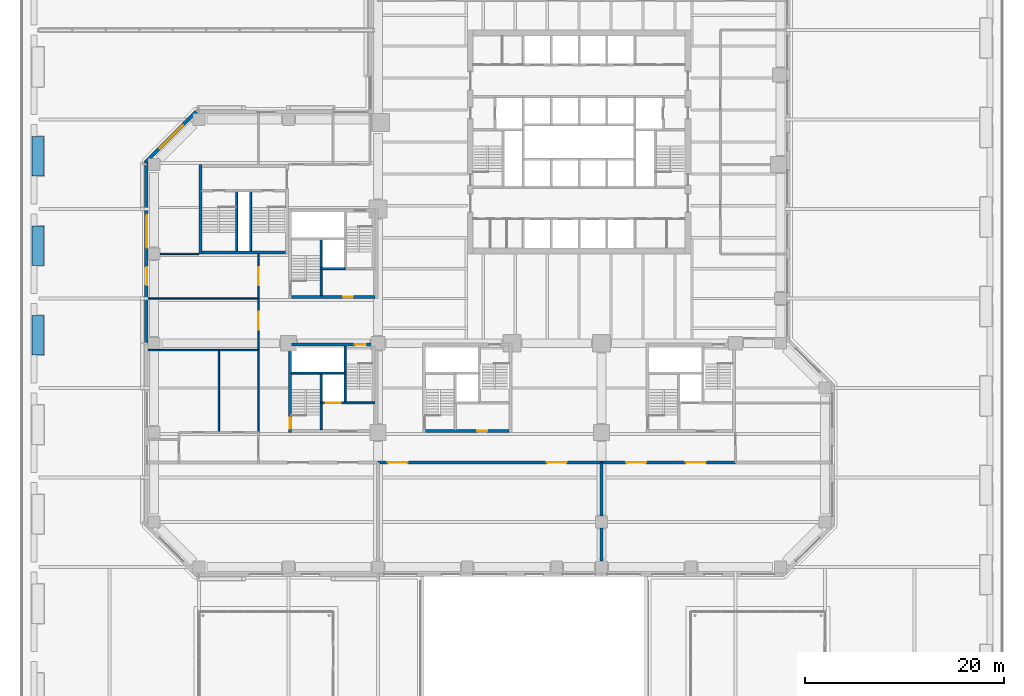
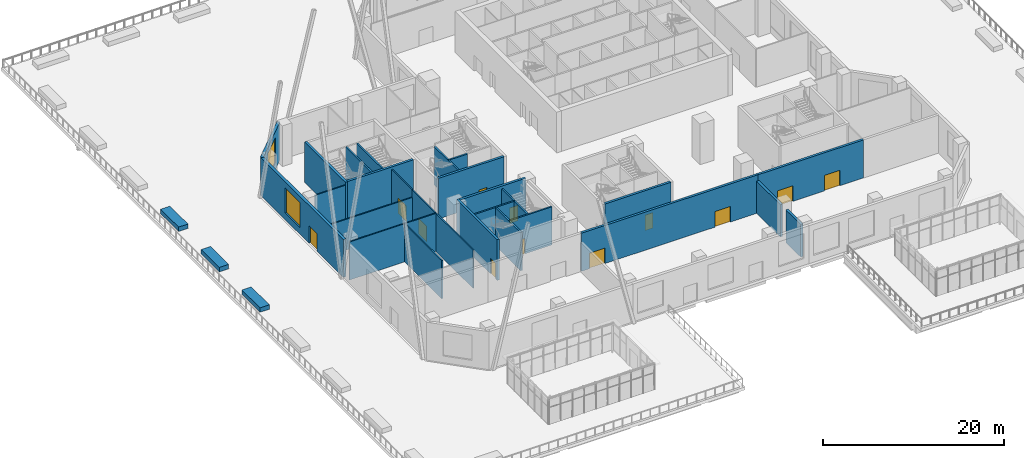
# One storey, part 21 of 33: 31 walls, 12 doors, 2 windows, 14 openings.
"""IFC4 building model written with IfcOpenShell, lengths in metres."""

from ifc_helpers import new_model, si_unit, direction, frame, frame_2d, origin, place, context, subcontext, project, spatial, rectangle, extrude, material, layer, layer_set, constituent, constituent_set, type_object, element, fill, save


model = new_model("IFC4")

# Units and contexts
model_context = context("Model", 3, precision=1e-05, world=origin(), true_north=direction((0.0, 1.0)))
body_context = subcontext(model_context, "Body", "Model", "MODEL_VIEW")
ifc_project = project(units=[si_unit("LENGTHUNIT", "METRE"), si_unit("AREAUNIT", "SQUARE_METRE"), si_unit("VOLUMEUNIT", "CUBIC_METRE"), si_unit("PLANEANGLEUNIT", "RADIAN"), si_unit("MASSUNIT", "GRAM", prefix="KILO")], contexts=[model_context])

# Site, building, storey
site_placement = place(None, origin())
site = spatial("IfcSite", under=ifc_project, at=site_placement, CompositionType="ELEMENT")
building_placement = place(site_placement, origin())
building = spatial("IfcBuilding", under=site, at=building_placement, Name="Quoin Convention Tower", CompositionType="ELEMENT")
storey_placement = place(building_placement, frame((0.0, 0.0, 8.0)))
storey = spatial("IfcBuildingStorey", under=building, at=storey_placement, Name="L01", CompositionType="ELEMENT", Elevation=8.0)

# Wall, openings, doors
ifc_material_1 = material(Name="Plasterboard")
ifc_layer_1 = layer(ifc_material_1, 0.012451171875, Name="Finish")
ifc_material_2 = material(Name="Steel stud framing", Category="steel")
ifc_layer_2 = layer(ifc_material_2, 0.27490234375, Name="Structure")
ifc_layer_3 = layer(ifc_material_1, 0.012451171875, Name="Finish")
ifc_layer_set_1 = layer_set([ifc_layer_1, ifc_layer_2, ifc_layer_3], Name="Steel stud framing")
wall_type_1 = type_object("IfcWallType", Name="Acoustic wall 300", PredefinedType="PARTITIONING", material=ifc_layer_set_1)
wall_1_placement = place(storey_placement, frame((36.0, 28.5, 0.0), z_axis=(0.0, 0.0, 1.0), x_axis=(1.0, 0.0, 0.0)))
wall_1 = element("IfcWall", 1, at=wall_1_placement, inside=storey, type_object=wall_type_1, Name="pw-L01-009", PredefinedType="PARTITIONING", context=body_context, shape_type="SweptSolid", body=[
    extrude(rectangle(XDim=22.5, YDim=0.300048828125, at=frame_2d((11.25, 0.0))), origin(), (0.0, 0.0, 1.0), 5.14990234375),
])
opening_1_placement = place(wall_1_placement, frame((1.0, 0.0, 0.0)))
opening_1 = element("IfcOpeningElement", 2, at=opening_1_placement, cuts=wall_1, Name="Opening DPD1-05", PredefinedType="OPENING", context=body_context, shape_type="SweptSolid", body=[
    extrude(rectangle(XDim=2.0, YDim=2.10009765625, at=frame_2d((1.0, 1.050048828125))), frame((0.0, 0.159912109375, 0.0), z_axis=(0.0, -1.0, 0.0), x_axis=(1.0, 0.0, 0.0)), (0.0, 0.0, 1.0), 0.320068359375),
])
opening_2_placement = place(wall_1_placement, frame((17.0, 0.0, 0.0)))
opening_2 = element("IfcOpeningElement", 3, at=opening_2_placement, cuts=wall_1, Name="Opening DPD1-06", PredefinedType="OPENING", context=body_context, shape_type="SweptSolid", body=[
    extrude(rectangle(XDim=2.0, YDim=2.10009765625, at=frame_2d((1.0, 1.050048828125))), frame((0.0, 0.159912109375, 0.0), z_axis=(0.0, -1.0, 0.0), x_axis=(1.0, 0.0, 0.0)), (0.0, 0.0, 1.0), 0.320068359375),
])
ifc_material_3 = material(Name="Steel door leaf", Category="steel")
door_type_1 = type_object("IfcDoorType", Name="Double leaf door 2000", OperationType="DOUBLE_DOOR_SINGLE_SWING", PredefinedType="DOOR", material=ifc_material_3)
door_1_placement = place(opening_1_placement, origin())
door_1 = element("IfcDoor", 4, at=door_1_placement, inside=storey, type_object=door_type_1, Name="dr-L01-003", OperationType="DOUBLE_DOOR_SINGLE_SWING", OverallHeight=2.10009765625, OverallWidth=2.0, PredefinedType="DOOR", context=body_context, shape_type="SweptSolid", body=[
    extrude(rectangle(XDim=2.0, YDim=2.10009765625, at=frame_2d((1.0, 1.050048828125))), frame((0.0, 0.02490234375, 0.0), z_axis=(0.0, -1.0, 0.0), x_axis=(1.0, 0.0, 0.0)), (0.0, 0.0, 1.0), 0.050048828125),
])
fill(opening_1, door_1)
door_2_placement = place(opening_2_placement, origin())
door_2 = element("IfcDoor", 5, at=door_2_placement, inside=storey, type_object=door_type_1, Name="dr-L01-004", OperationType="DOUBLE_DOOR_SINGLE_SWING", OverallHeight=2.10009765625, OverallWidth=2.0, PredefinedType="DOOR", context=body_context, shape_type="SweptSolid", body=[
    extrude(rectangle(XDim=2.0, YDim=2.10009765625, at=frame_2d((1.0, 1.050048828125))), frame((0.0, 0.02490234375, 0.0), z_axis=(0.0, -1.0, 0.0), x_axis=(1.0, 0.0, 0.0)), (0.0, 0.0, 1.0), 0.050048828125),
])
fill(opening_2, door_2)

wall_2_placement = place(storey_placement, frame((58.5, 28.5, 0.0), z_axis=(0.0, 0.0, 1.0), x_axis=(1.0, 0.0, 0.0)))
wall_2 = element("IfcWall", 6, at=wall_2_placement, inside=storey, type_object=wall_type_1, Name="pw-L01-010", PredefinedType="PARTITIONING", context=body_context, shape_type="SweptSolid", body=[
    extrude(rectangle(XDim=13.5, YDim=0.300048828125, at=frame_2d((6.75, 0.0))), origin(), (0.0, 0.0, 1.0), 5.14990234375),
])
opening_3_placement = place(wall_2_placement, frame((2.5, 0.0, 0.0)))
opening_3 = element("IfcOpeningElement", 7, at=opening_3_placement, cuts=wall_2, Name="Opening DPD1-07", PredefinedType="OPENING", context=body_context, shape_type="SweptSolid", body=[
    extrude(rectangle(XDim=2.0, YDim=2.10009765625, at=frame_2d((1.0, 1.050048828125))), frame((0.0, 0.159912109375, 0.0), z_axis=(0.0, -1.0, 0.0), x_axis=(1.0, 0.0, 0.0)), (0.0, 0.0, 1.0), 0.320068359375),
])
opening_4_placement = place(wall_2_placement, frame((8.5, 0.0, 0.0)))
opening_4 = element("IfcOpeningElement", 8, at=opening_4_placement, cuts=wall_2, Name="Opening DPD1-08", PredefinedType="OPENING", context=body_context, shape_type="SweptSolid", body=[
    extrude(rectangle(XDim=2.0, YDim=2.10009765625, at=frame_2d((1.0, 1.050048828125))), frame((0.0, 0.159912109375, 0.0), z_axis=(0.0, -1.0, 0.0), x_axis=(1.0, 0.0, 0.0)), (0.0, 0.0, 1.0), 0.320068359375),
])
door_3_placement = place(opening_3_placement, origin())
door_3 = element("IfcDoor", 9, at=door_3_placement, inside=storey, type_object=door_type_1, Name="dr-L01-005", OperationType="DOUBLE_DOOR_SINGLE_SWING", OverallHeight=2.10009765625, OverallWidth=2.0, PredefinedType="DOOR", context=body_context, shape_type="SweptSolid", body=[
    extrude(rectangle(XDim=2.0, YDim=2.10009765625, at=frame_2d((1.0, 1.050048828125))), frame((0.0, 0.02490234375, 0.0), z_axis=(0.0, -1.0, 0.0), x_axis=(1.0, 0.0, 0.0)), (0.0, 0.0, 1.0), 0.050048828125),
])
fill(opening_3, door_3)
door_4_placement = place(opening_4_placement, origin())
door_4 = element("IfcDoor", 10, at=door_4_placement, inside=storey, type_object=door_type_1, Name="dr-L01-006", OperationType="DOUBLE_DOOR_SINGLE_SWING", OverallHeight=2.10009765625, OverallWidth=2.0, PredefinedType="DOOR", context=body_context, shape_type="SweptSolid", body=[
    extrude(rectangle(XDim=2.0, YDim=2.10009765625, at=frame_2d((1.0, 1.050048828125))), frame((0.0, 0.02490234375, 0.0), z_axis=(0.0, -1.0, 0.0), x_axis=(1.0, 0.0, 0.0)), (0.0, 0.0, 1.0), 0.050048828125),
])
fill(opening_4, door_4)

# Walls
ifc_layer_4 = layer(ifc_material_1, 0.012451171875, Name="Finish")
ifc_layer_5 = layer(ifc_material_2, 0.27490234375, Name="Structure")
ifc_layer_6 = layer(ifc_material_1, 0.012451171875, Name="Finish")
ifc_layer_set_2 = layer_set([ifc_layer_4, ifc_layer_5, ifc_layer_6], Name="Steel stud framing")
wall_type_2 = type_object("IfcWallType", Name="Acoustic wall 300 under beam 750", PredefinedType="PARTITIONING", material=ifc_layer_set_2)
wall_3_placement = place(storey_placement, frame((58.5, 18.60009765625, 0.0), z_axis=(0.0, 0.0, 1.0), x_axis=(0.0, 1.0, 0.0)))
element("IfcWall", 11, at=wall_3_placement, inside=storey, type_object=wall_type_2, Name="pw-L01-002", PredefinedType="PARTITIONING", context=body_context, shape_type="SweptSolid", body=[
    extrude(rectangle(XDim=3.2998046875, YDim=0.300048828125, at=frame_2d((1.64990234375, 0.0))), origin(), (0.0, 0.0, 1.0), 4.39990234375),
])
ifc_layer_7 = layer(ifc_material_1, 0.012451171875, Name="Finish")
ifc_layer_8 = layer(ifc_material_2, 0.27490234375, Name="Structure")
ifc_layer_9 = layer(ifc_material_1, 0.012451171875, Name="Finish")
ifc_layer_set_3 = layer_set([ifc_layer_7, ifc_layer_8, ifc_layer_9], Name="Steel stud framing")
wall_type_3 = type_object("IfcWallType", Name="Acoustic wall 300 under beam 800", PredefinedType="PARTITIONING", material=ifc_layer_set_3)
wall_4_placement = place(storey_placement, frame((58.5, 23.10009765625, 0.0), z_axis=(0.0, 0.0, 1.0), x_axis=(0.0, 1.0, 0.0)))
element("IfcWall", 12, at=wall_4_placement, inside=storey, type_object=wall_type_3, Name="pw-L01-003", PredefinedType="PARTITIONING", context=body_context, shape_type="SweptSolid", body=[
    extrude(rectangle(XDim=5.39990234375, YDim=0.300048828125, at=frame_2d((2.699951171875, 0.0))), origin(), (0.0, 0.0, 1.0), 4.35009765625),
])

# Wall, opening, window
ifc_material_4 = material(Name="Brick masonry", Category="masonry")
ifc_layer_10 = layer(ifc_material_4, 0.35009765625)
ifc_layer_set_4 = layer_set([ifc_layer_10], Name="Brick masonry")
wall_type_4 = type_object("IfcWallType", Name="Brick facade wall", PredefinedType="STANDARD", material=ifc_layer_set_4)
wall_5_placement = place(storey_placement, frame((17.730224609375, 63.826416015625, 0.0), z_axis=(0.0, 0.0, 1.0), x_axis=(-0.707106781187, -0.707106781187, 0.0)))
wall_5 = element("IfcWall", 13, at=wall_5_placement, inside=storey, type_object=wall_type_4, Name="fw-L01-18000_63000", PredefinedType="STANDARD", context=body_context, shape_type="SweptSolid", body=[
    extrude(rectangle(XDim=7.151123046875, YDim=0.35009765625, at=frame_2d((3.57568359375, 0.0))), origin(), (0.0, 0.0, 1.0), 5.125),
])
opening_5_placement = place(wall_5_placement, frame((1.925537109375, 0.0, 0.89990234375)))
opening_5 = element("IfcOpeningElement", 14, at=opening_5_placement, cuts=wall_5, Name="Opening W-04", PredefinedType="OPENING", context=body_context, shape_type="SweptSolid", body=[
    extrude(rectangle(XDim=3.300048828125, YDim=3.39990234375, at=frame_2d((1.64990234375, 1.699951171875))), frame((0.0, 0.18505859375, 0.0), z_axis=(0.0, -1.0, 0.0), x_axis=(1.0, 0.0, 0.0)), (0.0, 0.0, 1.0), 0.3701171875),
])
ifc_material_5 = material(Name="Aluminium", Category="aluminium")
ifc_constituent_1 = constituent(ifc_material_5, Name="Frame")
ifc_material_6 = material(Name="Insulated glass", Category="glass")
ifc_constituent_2 = constituent(ifc_material_6, Name="Glazing")
ifc_constituent_set_1 = constituent_set(constituents=[ifc_constituent_1, ifc_constituent_2], Name="Aluminium")
window_type = type_object("IfcWindowType", Name="Convention window L01", PartitioningType="TRIPLE_PANEL_VERTICAL", PredefinedType="WINDOW", material=ifc_constituent_set_1)
window_1_placement = place(opening_5_placement, origin())
window_1 = element("IfcWindow", 15, at=window_1_placement, inside=storey, type_object=window_type, Name="win-L01-15202_61298", OverallHeight=3.39990234375, OverallWidth=3.300048828125, PartitioningType="SINGLE_PANEL", PredefinedType="WINDOW", context=body_context, shape_type="SweptSolid", body=[
    extrude(rectangle(XDim=3.300048828125, YDim=3.39990234375, at=frame_2d((1.64990234375, 1.699951171875))), frame((0.0, 0.0849609375, 0.0), z_axis=(0.0, -1.0, 0.0), x_axis=(1.0, 0.0, 0.0)), (0.0, 0.0, 1.0), 0.06005859375),
])
fill(opening_5, window_1)

# Wall, openings, window, door
wall_6_placement = place(storey_placement, frame((12.72509765625, 58.8935546875, 0.0), z_axis=(0.0, 0.0, 1.0), x_axis=(0.0, -1.0, 0.0)))
wall_6 = element("IfcWall", 16, at=wall_6_placement, inside=storey, type_object=wall_type_4, Name="fw-L01-13500_58500", PredefinedType="STANDARD", context=body_context, shape_type="SweptSolid", body=[
    extrude(rectangle(XDim=18.3935546875, YDim=0.35009765625, at=frame_2d((9.19677734375, 0.0))), origin(), (0.0, 0.0, 1.0), 5.125),
])
opening_6_placement = place(wall_6_placement, frame((5.493408203125, 0.0, 0.89990234375)))
opening_6 = element("IfcOpeningElement", 17, at=opening_6_placement, cuts=wall_6, Name="Opening W-04", PredefinedType="OPENING", context=body_context, shape_type="SweptSolid", body=[
    extrude(rectangle(XDim=3.300048828125, YDim=3.39990234375, at=frame_2d((1.64990234375, 1.699951171875))), frame((0.0, 0.18505859375, 0.0), z_axis=(0.0, -1.0, 0.0), x_axis=(1.0, 0.0, 0.0)), (0.0, 0.0, 1.0), 0.3701171875),
])
opening_7_placement = place(wall_6_placement, frame((10.743408203125, 0.0, 0.0)))
opening_7 = element("IfcOpeningElement", 18, at=opening_7_placement, cuts=wall_6, Name="Opening D-T1", PredefinedType="OPENING", context=body_context, shape_type="SweptSolid", body=[
    extrude(rectangle(XDim=1.800048828125, YDim=2.39990234375, at=frame_2d((0.89990234375, 1.199951171875))), frame((0.0, 0.18505859375, 0.0), z_axis=(0.0, -1.0, 0.0), x_axis=(1.0, 0.0, 0.0)), (0.0, 0.0, 1.0), 0.3701171875),
])
window_2_placement = place(opening_6_placement, origin())
window_2 = element("IfcWindow", 19, at=window_2_placement, inside=storey, type_object=window_type, Name="win-L01-12725_51750", OverallHeight=3.39990234375, OverallWidth=3.300048828125, PartitioningType="SINGLE_PANEL", PredefinedType="WINDOW", context=body_context, shape_type="SweptSolid", body=[
    extrude(rectangle(XDim=3.300048828125, YDim=3.39990234375, at=frame_2d((1.64990234375, 1.699951171875))), frame((0.0, 0.0849609375, 0.0), z_axis=(0.0, -1.0, 0.0), x_axis=(1.0, 0.0, 0.0)), (0.0, 0.0, 1.0), 0.06005859375),
])
fill(opening_6, window_2)
ifc_constituent_3 = constituent(ifc_material_5, Name="Frame")
ifc_constituent_4 = constituent(ifc_material_6, Name="Glazing")
ifc_constituent_set_2 = constituent_set(constituents=[ifc_constituent_3, ifc_constituent_4], Name="Aluminium")
door_type_2 = type_object("IfcDoorType", Name="Glazed terrace door", OperationType="DOUBLE_DOOR_SINGLE_SWING", PredefinedType="DOOR", material=ifc_constituent_set_2)
door_5_placement = place(opening_7_placement, frame((1.800048828125, 0.0, 0.0), z_axis=(0.0, 0.0, 1.0), x_axis=(-1.0, 0.0, 0.0)))
door_5 = element("IfcDoor", 20, at=door_5_placement, inside=storey, type_object=door_type_2, Name="dr-L01-12725_47250", OperationType="DOUBLE_DOOR_SINGLE_SWING", OverallHeight=2.39990234375, OverallWidth=1.800048828125, PredefinedType="DOOR", context=body_context, shape_type="SweptSolid", body=[
    extrude(rectangle(XDim=1.800048828125, YDim=2.39990234375, at=frame_2d((0.89990234375, 1.199951171875))), frame((0.0, -0.02978515625, 0.0), z_axis=(0.0, -1.0, 0.0), x_axis=(1.0, 0.0, 0.0)), (0.0, 0.0, 1.0), 0.050048828125),
])
fill(opening_7, door_5)

# Walls
ifc_material_7 = material(Name="Concrete C50", Category="concrete")
ifc_layer_11 = layer(ifc_material_7, 0.199951171875)
ifc_layer_set_5 = layer_set([ifc_layer_11], Name="Concrete C50")
wall_type_5 = type_object("IfcWallType", Name="Core shaft wall", PredefinedType="SOLIDWALL", material=ifc_layer_set_5)
wall_7_placement = place(storey_placement, frame((30.300048828125, 48.0, 0.0), z_axis=(0.0, 0.0, 1.0), x_axis=(1.0, 0.0, 0.0)))
element("IfcWall", 21, at=wall_7_placement, inside=storey, type_object=wall_type_5, Name="cr-P2-L01-h3000_3300", PredefinedType="SOLIDWALL", context=body_context, shape_type="SweptSolid", body=[
    extrude(rectangle(XDim=2.39990234375, YDim=0.199951171875, at=frame_2d((1.199951171875, 0.0))), origin(), (0.0, 0.0, 1.0), 5.14990234375),
])
wall_8_placement = place(storey_placement, frame((30.300048828125, 45.300048828125, 0.0), z_axis=(0.0, 0.0, 1.0), x_axis=(0.0, 1.0, 0.0)))
element("IfcWall", 22, at=wall_8_placement, inside=storey, type_object=wall_type_5, Name="cr-P2-L01-v3300_300", PredefinedType="SOLIDWALL", context=body_context, shape_type="SweptSolid", body=[
    extrude(rectangle(XDim=5.699951171875, YDim=0.199951171875, at=frame_2d((2.85009765625, 0.0))), origin(), (0.0, 0.0, 1.0), 5.14990234375),
])

# Wall, opening, door
wall_9_placement = place(storey_placement, frame((30.300048828125, 34.5, 0.0), z_axis=(0.0, 0.0, 1.0), x_axis=(1.0, 0.0, 0.0)))
wall_9 = element("IfcWall", 23, at=wall_9_placement, inside=storey, type_object=wall_type_5, Name="cr-P4-L01-h3000_3300", PredefinedType="SOLIDWALL", context=body_context, shape_type="SweptSolid", body=[
    extrude(rectangle(XDim=5.39990234375, YDim=0.199951171875, at=frame_2d((2.699951171875, 0.0))), origin(), (0.0, 0.0, 1.0), 5.14990234375),
])
opening_8_placement = place(wall_9_placement, frame((0.449951171875, 0.0, 0.0)))
opening_8 = element("IfcOpeningElement", 24, at=opening_8_placement, cuts=wall_9, Name="Opening LDGL1", PredefinedType="OPENING", context=body_context, shape_type="SweptSolid", body=[
    extrude(rectangle(XDim=1.5, YDim=2.10009765625, at=frame_2d((0.75, 1.050048828125))), frame((0.0, 0.10986328125, 0.0), z_axis=(0.0, -1.0, 0.0), x_axis=(1.0, 0.0, 0.0)), (0.0, 0.0, 1.0), 0.219970703125),
])
door_type_3 = type_object("IfcDoorType", Name="Lift landing door 1500 x 2100", OperationType="DOUBLE_DOOR_SLIDING", PredefinedType="DOOR", material=ifc_material_3)
door_6_placement = place(opening_8_placement, origin())
door_6 = element("IfcDoor", 25, at=door_6_placement, inside=storey, type_object=door_type_3, Name="cd-P4-L01-CEN-R2-LDGL1", OperationType="DOUBLE_DOOR_SLIDING", OverallHeight=2.10009765625, OverallWidth=1.5, PredefinedType="DOOR", context=body_context, shape_type="SweptSolid", body=[
    extrude(rectangle(XDim=1.5, YDim=2.10009765625, at=frame_2d((0.75, 1.050048828125))), frame((0.0, 0.02490234375, 0.0), z_axis=(0.0, -1.0, 0.0), x_axis=(1.0, 0.0, 0.0)), (0.0, 0.0, 1.0), 0.050048828125),
])
fill(opening_8, door_6)

# Walls
wall_10_placement = place(storey_placement, frame((27.300048828125, 37.5, 0.0), z_axis=(0.0, 0.0, 1.0), x_axis=(1.0, 0.0, 0.0)))
element("IfcWall", 26, at=wall_10_placement, inside=storey, type_object=wall_type_5, Name="cr-P4-L01-h6000_300", PredefinedType="SOLIDWALL", context=body_context, shape_type="SweptSolid", body=[
    extrude(rectangle(XDim=5.39990234375, YDim=0.199951171875, at=frame_2d((2.699951171875, 0.0))), origin(), (0.0, 0.0, 1.0), 5.14990234375),
])
for number, where, z_axis, x_axis, name in (
    (27, (30.300048828125, 31.800048828125, 0.0), (0.0, 0.0, 1.0), (0.0, 1.0, 0.0), "cr-P4-L01-v3300_300"),
    (28, (32.699951171875, 34.5, 0.0), (0.0, 0.0, 1.0), (0.0, 1.0, 0.0), "cr-P4-L01-v5700_3000"),
):
    element("IfcWall", number, at=place(storey_placement, frame(where, z_axis=z_axis, x_axis=x_axis)), inside=storey, type_object=wall_type_5, Name=name, PredefinedType="SOLIDWALL", context=body_context, shape_type="SweptSolid", body=[
        extrude(rectangle(XDim=5.699951171875, YDim=0.199951171875, at=frame_2d((2.85009765625, 0.0))), origin(), (0.0, 0.0, 1.0), 5.14990234375),
    ])
for number, where, z_axis, x_axis, name in (
    (29, (21.800048828125, 49.800048828125, 0.0), (0.0, 0.0, 1.0), (0.0, 1.0, 0.0), "cr-P6-L01-v3800_300"),
    (30, (23.199951171875, 49.800048828125, 0.0), (0.0, 0.0, 1.0), (0.0, 1.0, 0.0), "cr-P6-L01-v5200_300"),
):
    element("IfcWall", number, at=place(storey_placement, frame(where, z_axis=z_axis, x_axis=x_axis)), inside=storey, type_object=wall_type_5, Name=name, PredefinedType="SOLIDWALL", context=body_context, shape_type="SweptSolid", body=[
        extrude(rectangle(XDim=6.050048828125, YDim=0.199951171875, at=frame_2d((3.02490234375, 0.0))), origin(), (0.0, 0.0, 1.0), 5.14990234375),
    ])
ifc_layer_12 = layer(ifc_material_1, 0.012451171875, Name="Finish")
ifc_layer_13 = layer(ifc_material_2, 0.125, Name="Structure")
ifc_layer_14 = layer(ifc_material_1, 0.012451171875, Name="Finish")
ifc_layer_set_6 = layer_set([ifc_layer_12, ifc_layer_13, ifc_layer_14], Name="Steel stud framing")
wall_type_6 = type_object("IfcWallType", Name="Partition wall 150", PredefinedType="PARTITIONING", material=ifc_layer_set_6)
wall_11_placement = place(storey_placement, frame((24.0, 31.5, 0.0), z_axis=(0.0, 0.0, 1.0), x_axis=(0.0, 1.0, 0.0)))
element("IfcWall", 31, at=wall_11_placement, inside=storey, type_object=wall_type_6, Name="pw-L01-018", PredefinedType="PARTITIONING", context=body_context, shape_type="SweptSolid", body=[
    extrude(rectangle(XDim=8.300048828125, YDim=0.14990234375, at=frame_2d((4.14990234375, 0.0))), origin(), (0.0, 0.0, 1.0), 5.14990234375),
])
wall_12_placement = place(storey_placement, frame((12.89990234375, 39.800048828125, 0.0), z_axis=(0.0, 0.0, 1.0), x_axis=(1.0, 0.0, 0.0)))
element("IfcWall", 32, at=wall_12_placement, inside=storey, type_object=wall_type_6, Name="pw-L01-020", PredefinedType="PARTITIONING", context=body_context, shape_type="SweptSolid", body=[
    extrude(rectangle(XDim=7.10009765625, YDim=0.14990234375, at=frame_2d((3.550048828125, 0.0))), origin(), (0.0, 0.0, 1.0), 5.14990234375),
])
wall_13_placement = place(storey_placement, frame((20.0, 39.800048828125, 0.0), z_axis=(0.0, 0.0, 1.0), x_axis=(1.0, 0.0, 0.0)))
element("IfcWall", 33, at=wall_13_placement, inside=storey, type_object=wall_type_6, Name="pw-L01-021", PredefinedType="PARTITIONING", context=body_context, shape_type="SweptSolid", body=[
    extrude(rectangle(XDim=4.0, YDim=0.14990234375, at=frame_2d((2.0, 0.0))), origin(), (0.0, 0.0, 1.0), 5.14990234375),
])

# Wall, opening, door
wall_14_placement = place(storey_placement, frame((24.0, 39.800048828125, 0.0), z_axis=(0.0, 0.0, 1.0), x_axis=(0.0, 1.0, 0.0)))
wall_14 = element("IfcWall", 34, at=wall_14_placement, inside=storey, type_object=wall_type_6, Name="pw-L01-022", PredefinedType="PARTITIONING", context=body_context, shape_type="SweptSolid", body=[
    extrude(rectangle(XDim=5.199951171875, YDim=0.14990234375, at=frame_2d((2.60009765625, 0.0))), origin(), (0.0, 0.0, 1.0), 5.14990234375),
])
opening_9_placement = place(wall_14_placement, frame((2.050048828125, 0.0, 0.0)))
opening_9 = element("IfcOpeningElement", 35, at=opening_9_placement, cuts=wall_14, Name="Opening DPD1-12", PredefinedType="OPENING", context=body_context, shape_type="SweptSolid", body=[
    extrude(rectangle(XDim=1.800048828125, YDim=2.10009765625, at=frame_2d((0.89990234375, 1.050048828125))), frame((0.0, 0.0849609375, 0.0), z_axis=(0.0, -1.0, 0.0), x_axis=(1.0, 0.0, 0.0)), (0.0, 0.0, 1.0), 0.169921875),
])
door_type_4 = type_object("IfcDoorType", Name="Double leaf door 1800", OperationType="DOUBLE_DOOR_SINGLE_SWING", PredefinedType="DOOR", material=ifc_material_3)
door_7_placement = place(opening_9_placement, origin())
door_7 = element("IfcDoor", 36, at=door_7_placement, inside=storey, type_object=door_type_4, Name="dr-L01-013", OperationType="DOUBLE_DOOR_SINGLE_SWING", OverallHeight=2.10009765625, OverallWidth=1.800048828125, PredefinedType="DOOR", context=body_context, shape_type="SweptSolid", body=[
    extrude(rectangle(XDim=1.800048828125, YDim=2.10009765625, at=frame_2d((0.89990234375, 1.050048828125))), frame((0.0, 0.02490234375, 0.0), z_axis=(0.0, -1.0, 0.0), x_axis=(1.0, 0.0, 0.0)), (0.0, 0.0, 1.0), 0.050048828125),
])
fill(opening_9, door_7)

wall_15_placement = place(storey_placement, frame((24.0, 45.0, 0.0), z_axis=(0.0, 0.0, 1.0), x_axis=(0.0, 1.0, 0.0)))
wall_15 = element("IfcWall", 37, at=wall_15_placement, inside=storey, type_object=wall_type_6, Name="pw-L01-025", PredefinedType="PARTITIONING", context=body_context, shape_type="SweptSolid", body=[
    extrude(rectangle(XDim=4.5, YDim=0.14990234375, at=frame_2d((2.25, 0.0))), origin(), (0.0, 0.0, 1.0), 5.14990234375),
])
opening_10_placement = place(wall_15_placement, frame((1.35009765625, 0.0, 0.0)))
opening_10 = element("IfcOpeningElement", 38, at=opening_10_placement, cuts=wall_15, Name="Opening DPD1-14", PredefinedType="OPENING", context=body_context, shape_type="SweptSolid", body=[
    extrude(rectangle(XDim=1.800048828125, YDim=2.10009765625, at=frame_2d((0.89990234375, 1.050048828125))), frame((0.0, 0.0849609375, 0.0), z_axis=(0.0, -1.0, 0.0), x_axis=(1.0, 0.0, 0.0)), (0.0, 0.0, 1.0), 0.169921875),
])
door_8_placement = place(opening_10_placement, origin())
door_8 = element("IfcDoor", 39, at=door_8_placement, inside=storey, type_object=door_type_4, Name="dr-L01-014", OperationType="DOUBLE_DOOR_SINGLE_SWING", OverallHeight=2.10009765625, OverallWidth=1.800048828125, PredefinedType="DOOR", context=body_context, shape_type="SweptSolid", body=[
    extrude(rectangle(XDim=1.800048828125, YDim=2.10009765625, at=frame_2d((0.89990234375, 1.050048828125))), frame((0.0, 0.02490234375, 0.0), z_axis=(0.0, -1.0, 0.0), x_axis=(1.0, 0.0, 0.0)), (0.0, 0.0, 1.0), 0.050048828125),
])
fill(opening_10, door_8)

# Walls
wall_16_placement = place(storey_placement, frame((14.10009765625, 49.5, 0.0), z_axis=(0.0, 0.0, 1.0), x_axis=(1.0, 0.0, 0.0)))
element("IfcWall", 40, at=wall_16_placement, inside=storey, type_object=wall_type_6, Name="pw-L01-026", PredefinedType="PARTITIONING", context=body_context, shape_type="SweptSolid", body=[
    extrude(rectangle(XDim=3.89990234375, YDim=0.14990234375, at=frame_2d((1.949951171875, 0.0))), origin(), (0.0, 0.0, 1.0), 5.14990234375),
])
ifc_layer_15 = layer(ifc_material_1, 0.012451171875, Name="Finish")
ifc_layer_16 = layer(ifc_material_2, 0.125, Name="Structure")
ifc_layer_17 = layer(ifc_material_1, 0.012451171875, Name="Finish")
ifc_layer_set_7 = layer_set([ifc_layer_15, ifc_layer_16, ifc_layer_17], Name="Steel stud framing")
wall_type_7 = type_object("IfcWallType", Name="Partition wall 150 under beam 1000", PredefinedType="PARTITIONING", material=ifc_layer_set_7)
wall_17_placement = place(storey_placement, frame((12.89990234375, 45.0, 0.0), z_axis=(0.0, 0.0, 1.0), x_axis=(1.0, 0.0, 0.0)))
element("IfcWall", 41, at=wall_17_placement, inside=storey, type_object=wall_type_7, Name="pw-L01-024", PredefinedType="PARTITIONING", context=body_context, shape_type="SweptSolid", body=[
    extrude(rectangle(XDim=11.10009765625, YDim=0.14990234375, at=frame_2d((5.550048828125, 0.0))), origin(), (0.0, 0.0, 1.0), 4.14990234375),
])
ifc_material_8 = material(Name="Concrete C40", Category="concrete")
ifc_layer_18 = layer(ifc_material_8, 1.199951171875)
ifc_layer_set_8 = layer_set([ifc_layer_18], Name="Concrete C40")
wall_type_8 = type_object("IfcWallType", Name="Planter bed", PredefinedType="STANDARD", material=ifc_layer_set_8)
for number, where, z_axis, x_axis, name in (
    (42, (1.800048828125, 39.300048828125, 0.0), (0.0, 0.0, 1.0), (0.0, 1.0, 0.0), "PLANTER L01 27"),
    (43, (1.800048828125, 48.300048828125, 0.0), (0.0, 0.0, 1.0), (0.0, 1.0, 0.0), "PLANTER L01 28"),
    (44, (1.800048828125, 57.300048828125, 0.0), (0.0, 0.0, 1.0), (0.0, 1.0, 0.0), "PLANTER L01 29"),
):
    element("IfcWall", number, at=place(storey_placement, frame(where, z_axis=z_axis, x_axis=x_axis)), inside=storey, type_object=wall_type_8, Name=name, PredefinedType="STANDARD", context=body_context, shape_type="SweptSolid", body=[
        extrude(rectangle(XDim=4.0, YDim=1.199951171875, at=frame_2d((2.0, 0.0))), origin(), (0.0, 0.0, 1.0), 0.60009765625),
    ])

# Wall, opening, door
ifc_material_9 = material(Name="Concrete C100 (100 MPa)", Category="concrete")
ifc_layer_19 = layer(ifc_material_9, 0.300048828125)
ifc_layer_set_9 = layer_set([ifc_layer_19], Name="Concrete C100 (100 MPa)")
wall_type_9 = type_object("IfcWallType", Name="RC CORE WALL 300 C100", PredefinedType="SHEAR", material=ifc_layer_set_9)
wall_18_placement = place(storey_placement, frame((27.300048828125, 45.14990234375, 0.0), z_axis=(0.0, 0.0, 1.0), x_axis=(1.0, 0.0, 0.0)))
wall_18 = element("IfcWall", 45, at=wall_18_placement, inside=storey, type_object=wall_type_9, Name="cwl-P2-L01-S", PredefinedType="SHEAR", context=body_context, shape_type="SweptSolid", body=[
    extrude(rectangle(XDim=8.39990234375, YDim=0.300048828125, at=frame_2d((4.199951171875, 0.0))), origin(), (0.0, 0.0, 1.0), 5.5),
])
opening_11_placement = place(wall_18_placement, frame((5.199951171875, 0.0, 0.0)))
opening_11 = element("IfcOpeningElement", 46, at=opening_11_placement, cuts=wall_18, Name="Opening DCV1-50", PredefinedType="OPENING", context=body_context, shape_type="SweptSolid", body=[
    extrude(rectangle(XDim=1.0, YDim=2.10009765625, at=frame_2d((0.5, 1.050048828125))), frame((0.0, 0.159912109375, 0.0), z_axis=(0.0, -1.0, 0.0), x_axis=(1.0, 0.0, 0.0)), (0.0, 0.0, 1.0), 0.320068359375),
])
door_type_5 = type_object("IfcDoorType", Name="Service door 1000 x 2100", OperationType="SINGLE_SWING_LEFT", PredefinedType="DOOR", material=ifc_material_3)
door_9_placement = place(opening_11_placement, origin())
door_9 = element("IfcDoor", 47, at=door_9_placement, inside=storey, type_object=door_type_5, Name="cd-P2-L01-R2-S", OperationType="SINGLE_SWING_LEFT", OverallHeight=2.10009765625, OverallWidth=1.0, PredefinedType="DOOR", context=body_context, shape_type="SweptSolid", body=[
    extrude(rectangle(XDim=1.0, YDim=2.10009765625, at=frame_2d((0.5, 1.050048828125))), frame((0.0, 0.02490234375, 0.0), z_axis=(0.0, -1.0, 0.0), x_axis=(1.0, 0.0, 0.0)), (0.0, 0.0, 1.0), 0.050048828125),
])
fill(opening_11, door_9)

wall_19_placement = place(storey_placement, frame((40.800048828125, 31.64990234375, 0.0), z_axis=(0.0, 0.0, 1.0), x_axis=(1.0, 0.0, 0.0)))
wall_19 = element("IfcWall", 48, at=wall_19_placement, inside=storey, type_object=wall_type_9, Name="cwl-P3-L01-S", PredefinedType="SHEAR", context=body_context, shape_type="SweptSolid", body=[
    extrude(rectangle(XDim=8.39990234375, YDim=0.300048828125, at=frame_2d((4.199951171875, 0.0))), origin(), (0.0, 0.0, 1.0), 5.5),
])
opening_12_placement = place(wall_19_placement, frame((5.199951171875, 0.0, 0.0)))
opening_12 = element("IfcOpeningElement", 49, at=opening_12_placement, cuts=wall_19, Name="Opening DCV1-51", PredefinedType="OPENING", context=body_context, shape_type="SweptSolid", body=[
    extrude(rectangle(XDim=1.0, YDim=2.10009765625, at=frame_2d((0.5, 1.050048828125))), frame((0.0, 0.159912109375, 0.0), z_axis=(0.0, -1.0, 0.0), x_axis=(1.0, 0.0, 0.0)), (0.0, 0.0, 1.0), 0.320068359375),
])
door_10_placement = place(opening_12_placement, origin())
door_10 = element("IfcDoor", 50, at=door_10_placement, inside=storey, type_object=door_type_5, Name="cd-P3-L01-R2-S", OperationType="SINGLE_SWING_LEFT", OverallHeight=2.10009765625, OverallWidth=1.0, PredefinedType="DOOR", context=body_context, shape_type="SweptSolid", body=[
    extrude(rectangle(XDim=1.0, YDim=2.10009765625, at=frame_2d((0.5, 1.050048828125))), frame((0.0, 0.02490234375, 0.0), z_axis=(0.0, -1.0, 0.0), x_axis=(1.0, 0.0, 0.0)), (0.0, 0.0, 1.0), 0.050048828125),
])
fill(opening_12, door_10)

wall_20_placement = place(storey_placement, frame((27.300048828125, 40.35009765625, 0.0), z_axis=(0.0, 0.0, 1.0), x_axis=(1.0, 0.0, 0.0)))
wall_20 = element("IfcWall", 51, at=wall_20_placement, inside=storey, type_object=wall_type_9, Name="cwl-P4-L01-N", PredefinedType="SHEAR", context=body_context, shape_type="SweptSolid", body=[
    extrude(rectangle(XDim=8.39990234375, YDim=0.300048828125, at=frame_2d((4.199951171875, 0.0))), origin(), (0.0, 0.0, 1.0), 5.5),
])
opening_13_placement = place(wall_20_placement, frame((6.39990234375, 0.0, 0.0)))
opening_13 = element("IfcOpeningElement", 52, at=opening_13_placement, cuts=wall_20, Name="Opening SD8", PredefinedType="OPENING", context=body_context, shape_type="SweptSolid", body=[
    extrude(rectangle(XDim=1.10009765625, YDim=2.10009765625, at=frame_2d((0.550048828125, 1.050048828125))), frame((0.0, 0.159912109375, 0.0), z_axis=(0.0, -1.0, 0.0), x_axis=(1.0, 0.0, 0.0)), (0.0, 0.0, 1.0), 0.320068359375),
])
door_type_6 = type_object("IfcDoorType", Name="Stair door 1100 x 2100", OperationType="SINGLE_SWING_RIGHT", PredefinedType="DOOR", material=ifc_material_3)
door_11_placement = place(opening_13_placement, frame((1.10009765625, 0.0, 0.0), z_axis=(0.0, 0.0, 1.0), x_axis=(-1.0, 0.0, 0.0)))
door_11 = element("IfcDoor", 53, at=door_11_placement, inside=storey, type_object=door_type_6, Name="cd-P4-L01-SB-N", OperationType="SINGLE_SWING_LEFT", OverallHeight=2.10009765625, OverallWidth=1.10009765625, PredefinedType="DOOR", context=body_context, shape_type="SweptSolid", body=[
    extrude(rectangle(XDim=1.10009765625, YDim=2.10009765625, at=frame_2d((0.550048828125, 1.050048828125))), frame((0.0, 0.02490234375, 0.0), z_axis=(0.0, -1.0, 0.0), x_axis=(1.0, 0.0, 0.0)), (0.0, 0.0, 1.0), 0.050048828125),
])
fill(opening_13, door_11)

wall_21_placement = place(storey_placement, frame((27.14990234375, 31.5, 0.0), z_axis=(0.0, 0.0, 1.0), x_axis=(0.0, 1.0, 0.0)))
wall_21 = element("IfcWall", 54, at=wall_21_placement, inside=storey, type_object=wall_type_9, Name="cwl-P4-L01-W", PredefinedType="SHEAR", context=body_context, shape_type="SweptSolid", body=[
    extrude(rectangle(XDim=9.0, YDim=0.300048828125, at=frame_2d((4.5, 0.0))), origin(), (0.0, 0.0, 1.0), 5.5),
])
opening_14_placement = place(wall_21_placement, frame((0.39990234375, 0.0, 0.0)))
opening_14 = element("IfcOpeningElement", 55, at=opening_14_placement, cuts=wall_21, Name="Opening SD7", PredefinedType="OPENING", context=body_context, shape_type="SweptSolid", body=[
    extrude(rectangle(XDim=1.10009765625, YDim=2.10009765625, at=frame_2d((0.550048828125, 1.050048828125))), frame((0.0, 0.159912109375, 0.0), z_axis=(0.0, -1.0, 0.0), x_axis=(1.0, 0.0, 0.0)), (0.0, 0.0, 1.0), 0.320068359375),
])
door_12_placement = place(opening_14_placement, frame((1.10009765625, 0.0, 0.0), z_axis=(0.0, 0.0, 1.0), x_axis=(-1.0, 0.0, 0.0)))
door_12 = element("IfcDoor", 56, at=door_12_placement, inside=storey, type_object=door_type_6, Name="cd-P4-L01-SA-W", OperationType="SINGLE_SWING_RIGHT", OverallHeight=2.10009765625, OverallWidth=1.10009765625, PredefinedType="DOOR", context=body_context, shape_type="SweptSolid", body=[
    extrude(rectangle(XDim=1.10009765625, YDim=2.10009765625, at=frame_2d((0.550048828125, 1.050048828125))), frame((0.0, 0.02490234375, 0.0), z_axis=(0.0, -1.0, 0.0), x_axis=(1.0, 0.0, 0.0)), (0.0, 0.0, 1.0), 0.050048828125),
])
fill(opening_14, door_12)

# Walls
wall_22_placement = place(storey_placement, frame((18.300048828125, 49.64990234375, 0.0), z_axis=(0.0, 0.0, 1.0), x_axis=(1.0, 0.0, 0.0)))
element("IfcWall", 57, at=wall_22_placement, inside=storey, type_object=wall_type_9, Name="cwl-P6-L01-S", PredefinedType="SHEAR", context=body_context, shape_type="SweptSolid", body=[
    extrude(rectangle(XDim=8.39990234375, YDim=0.300048828125, at=frame_2d((4.199951171875, 0.0))), origin(), (0.0, 0.0, 1.0), 5.5),
])
wall_23_placement = place(storey_placement, frame((18.14990234375, 49.5, 0.0), z_axis=(0.0, 0.0, 1.0), x_axis=(0.0, 1.0, 0.0)))
element("IfcWall", 58, at=wall_23_placement, inside=storey, type_object=wall_type_9, Name="cwl-P6-L01-W", PredefinedType="SHEAR", context=body_context, shape_type="SweptSolid", body=[
    extrude(rectangle(XDim=9.0, YDim=0.300048828125, at=frame_2d((4.5, 0.0))), origin(), (0.0, 0.0, 1.0), 5.5),
])
ifc_layer_20 = layer(ifc_material_1, 0.012451171875, Name="Finish")
ifc_layer_21 = layer(ifc_material_2, 0.125, Name="Structure")
ifc_layer_22 = layer(ifc_material_1, 0.012451171875, Name="Finish")
ifc_layer_set_10 = layer_set([ifc_layer_20, ifc_layer_21, ifc_layer_22], Name="Steel stud framing")
wall_type_10 = type_object("IfcWallType", Name="Wet area wall 150", PredefinedType="PARTITIONING", material=ifc_layer_set_10)
wall_24_placement = place(storey_placement, frame((20.0, 31.5, 0.0), z_axis=(0.0, 0.0, 1.0), x_axis=(0.0, 1.0, 0.0)))
element("IfcWall", 59, at=wall_24_placement, inside=storey, type_object=wall_type_10, Name="pw-L01-017", PredefinedType="PARTITIONING", context=body_context, shape_type="SweptSolid", body=[
    extrude(rectangle(XDim=8.300048828125, YDim=0.14990234375, at=frame_2d((4.14990234375, 0.0))), origin(), (0.0, 0.0, 1.0), 5.14990234375),
])

save(model, "model.ifc")
